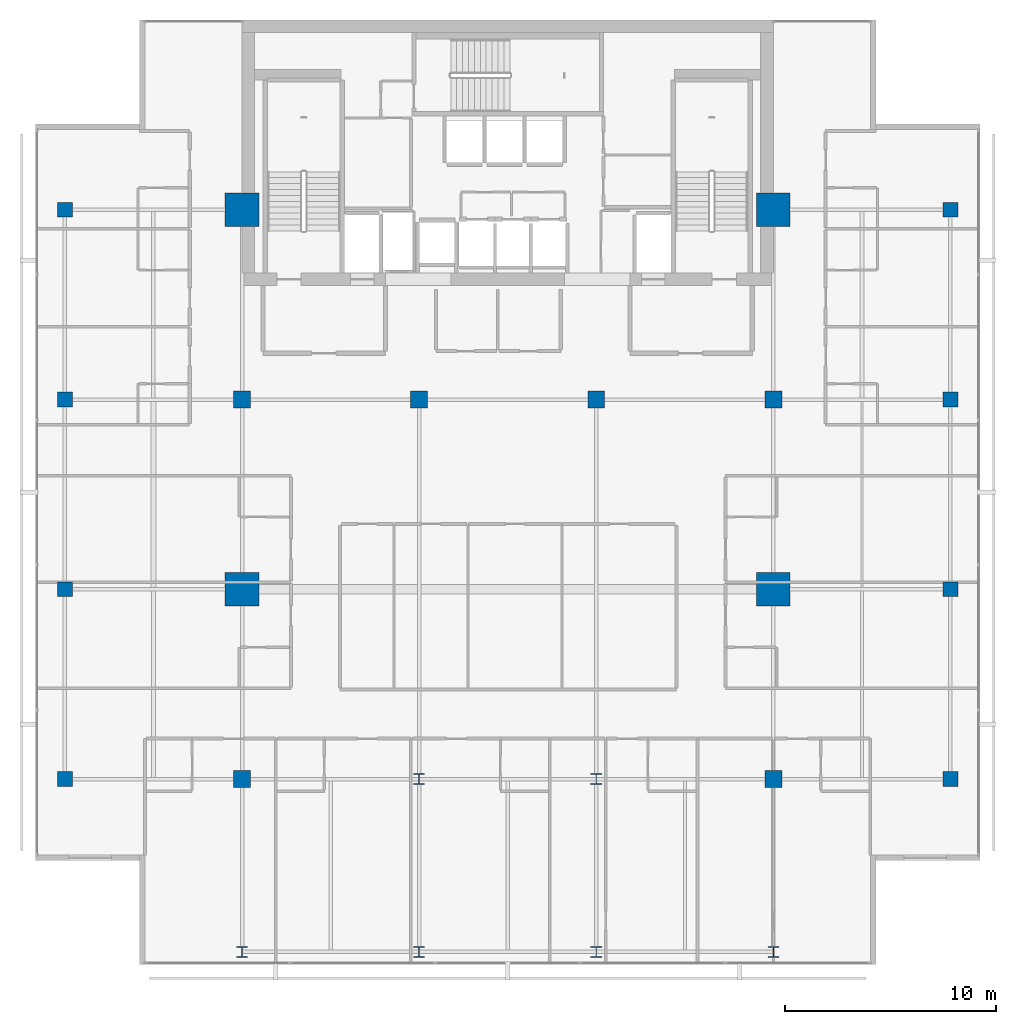
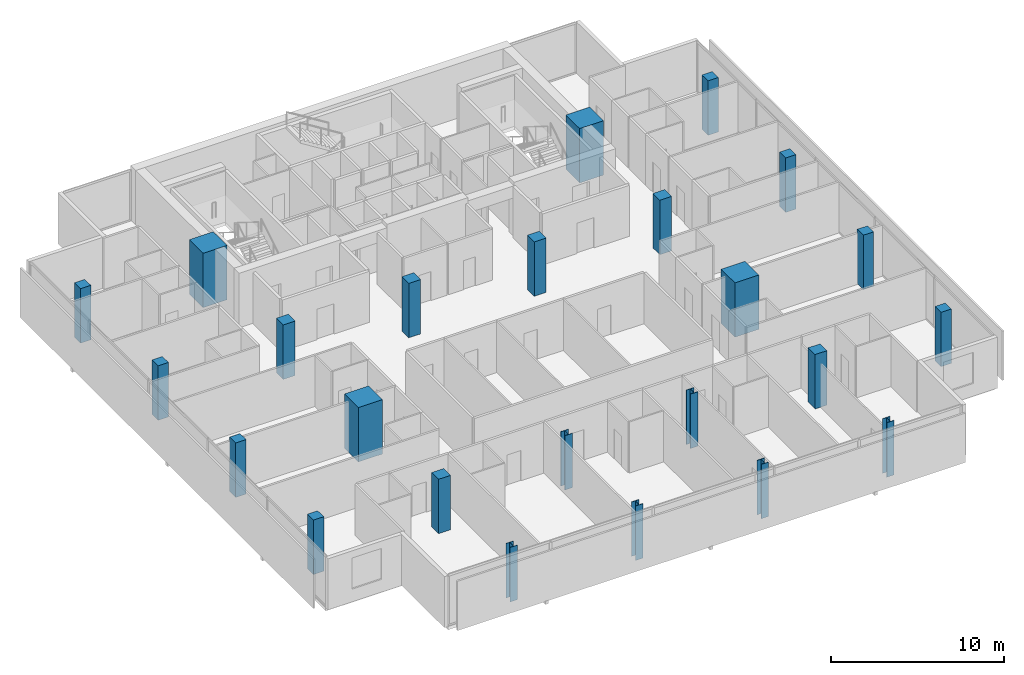
# One storey, part 1 of 26: 24 columns.
"""IFC4 building model written with IfcOpenShell, lengths in metres."""

from ifc_helpers import new_model, si_unit, direction, frame, origin, origin_2d, place, context, subcontext, project, spatial, rectangle, i_section, extrude, material, material_profile, profile_set, type_object, element, save


model = new_model("IFC4")

# Units and contexts
model_context = context("Model", 3, precision=1e-05, world=origin(), true_north=direction((0.0, 1.0)))
body_context = subcontext(model_context, "Body", "Model", "MODEL_VIEW")
ifc_project = project(units=[si_unit("LENGTHUNIT", "METRE"), si_unit("AREAUNIT", "SQUARE_METRE"), si_unit("VOLUMEUNIT", "CUBIC_METRE"), si_unit("PLANEANGLEUNIT", "RADIAN"), si_unit("MASSUNIT", "GRAM", prefix="KILO")], contexts=[model_context])

# Site, building, storey
site_placement = place(None, origin())
site = spatial("IfcSite", under=ifc_project, at=site_placement, CompositionType="ELEMENT")
building_placement = place(site_placement, origin())
building = spatial("IfcBuilding", under=site, at=building_placement, Name="Maruvema Waterfront Hotel and Observation Tower", CompositionType="ELEMENT")
storey_placement = place(building_placement, frame((0.0, 0.0, 289.449951171875)))
storey = spatial("IfcBuildingStorey", under=building, at=storey_placement, Name="L71", CompositionType="ELEMENT", Elevation=289.449951171875)

# Columns
ifc_material_1 = material(Name="Concrete C70/85", Category="concrete")
ifc_material_profile_1 = material_profile(ifc_material_1, rectangle(XDim=1.60009765625, YDim=1.60009765625, at=origin_2d()), Name="MC1600x1600")
ifc_profile_set_1 = profile_set([ifc_material_profile_1], Name="Concrete C70/85")
column_type_1 = type_object("IfcColumnType", Name="Continuous Mega-Column MC1600x1600", PredefinedType="COLUMN", material=ifc_profile_set_1)
for number, where, z_axis, x_axis, name in (
    (1, (25.199951171875, 27.0, 0.0), (0.0, 0.0, 1.0), (1.0, 0.0, 0.0), "L71 Continuous Mega-Column MC-01"),
    (2, (50.39990234375, 27.0, 0.0), (0.0, 0.0, 1.0), (1.0, 0.0, 0.0), "L71 Continuous Mega-Column MC-02"),
    (3, (25.199951171875, 45.0, 0.0), (0.0, 0.0, 1.0), (1.0, 0.0, 0.0), "L71 Continuous Mega-Column MC-03"),
    (4, (50.39990234375, 45.0, 0.0), (0.0, 0.0, 1.0), (1.0, 0.0, 0.0), "L71 Continuous Mega-Column MC-04"),
):
    element("IfcColumn", number, at=place(storey_placement, frame(where, z_axis=z_axis, x_axis=x_axis)), inside=storey, type_object=column_type_1, Name=name, PredefinedType="COLUMN", context=body_context, shape_type="SweptSolid", body=[
        extrude(rectangle(XDim=1.60009765625, YDim=1.60009765625, at=origin_2d()), origin(), (0.0, 0.0, 1.0), 3.85009765625),
    ])
ifc_material_2 = material(Name="Concrete C60/75", Category="concrete")
ifc_material_profile_2 = material_profile(ifc_material_2, rectangle(XDim=0.699951171875, YDim=0.699951171875, at=origin_2d()), Name="RC700x700")
ifc_profile_set_2 = profile_set([ifc_material_profile_2], Name="Concrete C60/75")
column_type_2 = type_object("IfcColumnType", Name="Reinforced Concrete Column RC700x700", PredefinedType="COLUMN", material=ifc_profile_set_2)
for number, where, z_axis, x_axis, name in (
    (5, (16.800048828125, 18.0, 0.0), (0.0, 0.0, 1.0), (1.0, 0.0, 0.0), "L71 Column C-3Y18"),
    (6, (58.800048828125, 18.0, 0.0), (0.0, 0.0, 1.0), (1.0, 0.0, 0.0), "L71 Column C-8Y18"),
    (7, (16.800048828125, 27.0, 0.0), (0.0, 0.0, 1.0), (1.0, 0.0, 0.0), "L71 Column C-3Y27"),
    (8, (58.800048828125, 27.0, 0.0), (0.0, 0.0, 1.0), (1.0, 0.0, 0.0), "L71 Column C-8Y27"),
    (9, (16.800048828125, 36.0, 0.0), (0.0, 0.0, 1.0), (1.0, 0.0, 0.0), "L71 Column C-3Y36"),
    (10, (58.800048828125, 36.0, 0.0), (0.0, 0.0, 1.0), (1.0, 0.0, 0.0), "L71 Column C-8Y36"),
    (11, (16.800048828125, 45.0, 0.0), (0.0, 0.0, 1.0), (1.0, 0.0, 0.0), "L71 Column C-3Y45"),
    (12, (58.800048828125, 45.0, 0.0), (0.0, 0.0, 1.0), (1.0, 0.0, 0.0), "L71 Column C-8Y45"),
):
    element("IfcColumn", number, at=place(storey_placement, frame(where, z_axis=z_axis, x_axis=x_axis)), inside=storey, type_object=column_type_2, Name=name, PredefinedType="COLUMN", context=body_context, shape_type="SweptSolid", body=[
        extrude(rectangle(XDim=0.699951171875, YDim=0.699951171875, at=origin_2d()), origin(), (0.0, 0.0, 1.0), 3.85009765625),
    ])
ifc_material_3 = material(Name="Concrete C60/75", Category="concrete")
ifc_material_profile_3 = material_profile(ifc_material_3, rectangle(XDim=0.800048828125, YDim=0.800048828125, at=origin_2d()), Name="RC800x800")
ifc_profile_set_3 = profile_set([ifc_material_profile_3], Name="Concrete C60/75")
column_type_3 = type_object("IfcColumnType", Name="Reinforced Concrete Column RC800x800", PredefinedType="COLUMN", material=ifc_profile_set_3)
for number, where, z_axis, x_axis, name in (
    (13, (25.199951171875, 36.0, 0.0), (0.0, 0.0, 1.0), (1.0, 0.0, 0.0), "L71 Column C-4E"),
    (14, (33.60009765625, 36.0, 0.0), (0.0, 0.0, 1.0), (1.0, 0.0, 0.0), "L71 Column C-5E"),
    (15, (42.0, 36.0, 0.0), (0.0, 0.0, 1.0), (1.0, 0.0, 0.0), "L71 Column C-6E"),
    (16, (50.39990234375, 36.0, 0.0), (0.0, 0.0, 1.0), (1.0, 0.0, 0.0), "L71 Column C-7E"),
    (17, (25.199951171875, 18.0, 0.0), (0.0, 0.0, 1.0), (1.0, 0.0, 0.0), "L71 Column C-4C"),
    (18, (50.39990234375, 18.0, 0.0), (0.0, 0.0, 1.0), (1.0, 0.0, 0.0), "L71 Column C-7C"),
):
    element("IfcColumn", number, at=place(storey_placement, frame(where, z_axis=z_axis, x_axis=x_axis)), inside=storey, type_object=column_type_3, Name=name, PredefinedType="COLUMN", context=body_context, shape_type="SweptSolid", body=[
        extrude(rectangle(XDim=0.800048828125, YDim=0.800048828125, at=origin_2d()), origin(), (0.0, 0.0, 1.0), 3.85009765625),
    ])
ifc_material_4 = material(Name="Steel ABNT NBR 7007 AR 415 (ASTM A572 Grade 50)", Category="steel")
ifc_material_profile_4 = material_profile(ifc_material_4, i_section(OverallWidth=0.5, OverallDepth=0.5, WebThickness=0.02197265625, FlangeThickness=0.031982421875, at=origin_2d()), Name="CVS500x223")
ifc_profile_set_4 = profile_set([ifc_material_profile_4], Name="Steel ABNT NBR 7007 AR 415 (ASTM A572 Grade 50)")
column_type_4 = type_object("IfcColumnType", Name="Structural Steel Column CVS500x223", PredefinedType="COLUMN", material=ifc_profile_set_4)
for number, where, z_axis, x_axis, name in (
    (19, (33.60009765625, 18.0, 0.0), (0.0, 0.0, 1.0), (1.0, 0.0, 0.0), "L71 Column C-5C"),
    (20, (42.0, 18.0, 0.0), (0.0, 0.0, 1.0), (1.0, 0.0, 0.0), "L71 Column C-6C"),
    (21, (25.199951171875, 9.800048828125, 0.0), (0.0, 0.0, 1.0), (1.0, 0.0, 0.0), "L71 Column C-Z3S4"),
    (22, (33.60009765625, 9.800048828125, 0.0), (0.0, 0.0, 1.0), (1.0, 0.0, 0.0), "L71 Column C-Z3S5"),
    (23, (42.0, 9.800048828125, 0.0), (0.0, 0.0, 1.0), (1.0, 0.0, 0.0), "L71 Column C-Z3S6"),
    (24, (50.39990234375, 9.800048828125, 0.0), (0.0, 0.0, 1.0), (1.0, 0.0, 0.0), "L71 Column C-Z3S7"),
):
    element("IfcColumn", number, at=place(storey_placement, frame(where, z_axis=z_axis, x_axis=x_axis)), inside=storey, type_object=column_type_4, Name=name, PredefinedType="COLUMN", context=body_context, shape_type="SweptSolid", body=[
        extrude(i_section(OverallWidth=0.5, OverallDepth=0.5, WebThickness=0.02197265625, FlangeThickness=0.031982421875, at=origin_2d()), origin(), (0.0, 0.0, 1.0), 3.85009765625),
    ])

save(model, "model.ifc")
